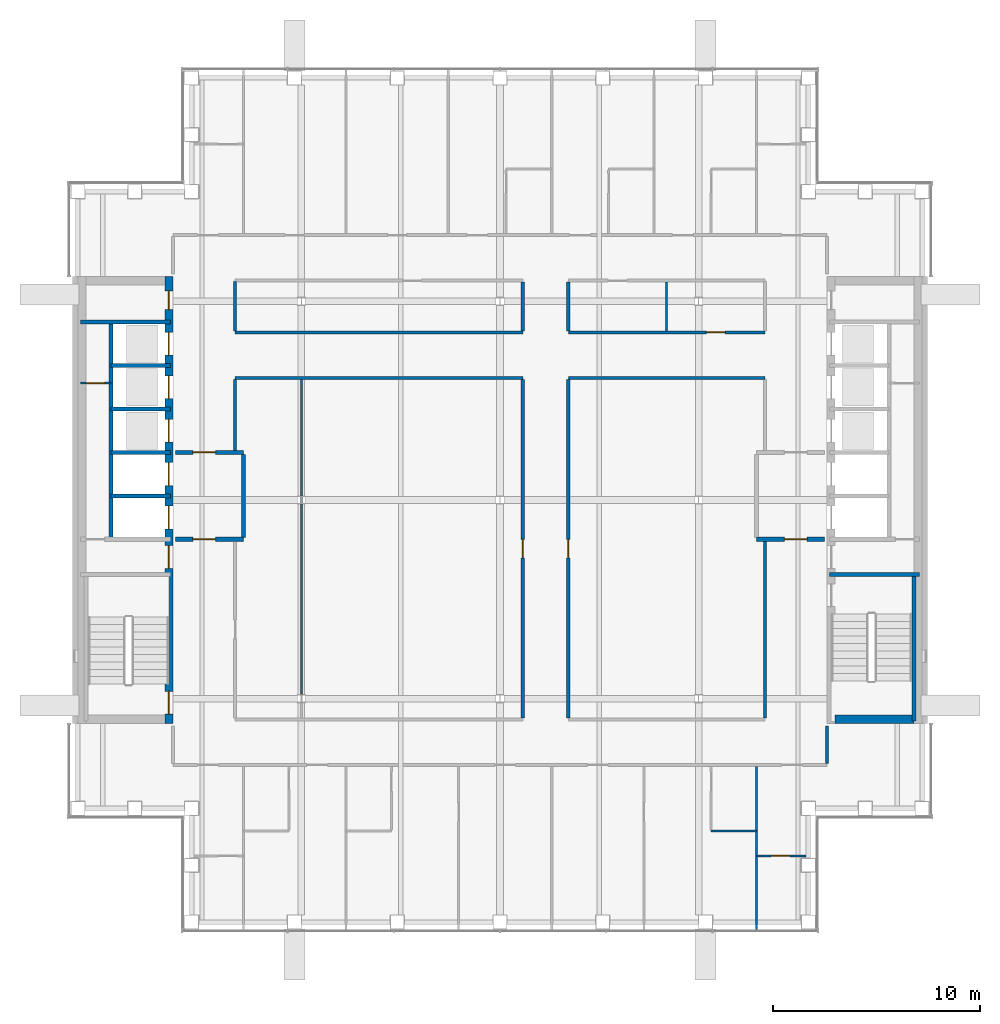
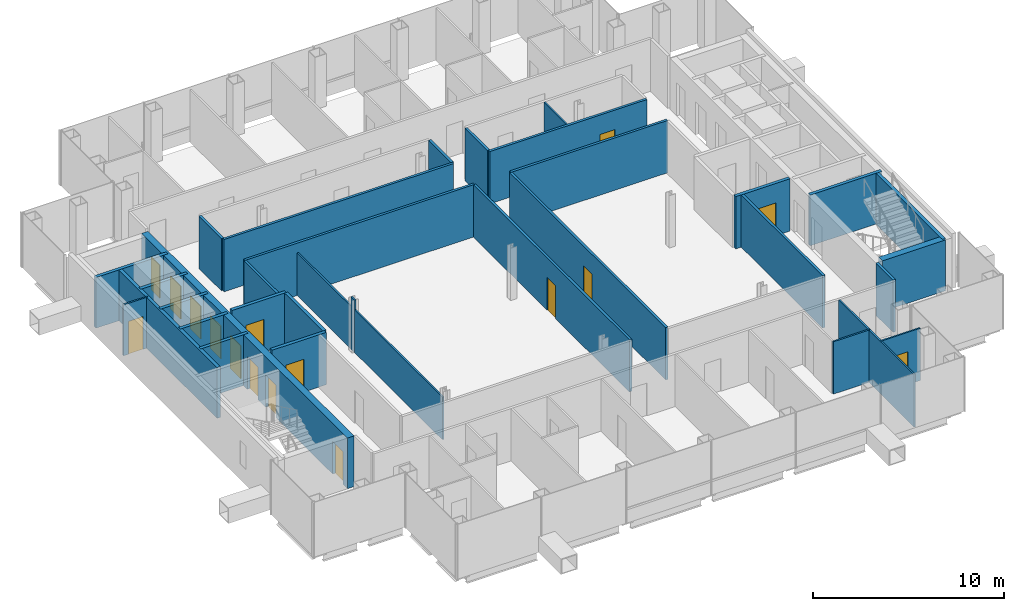
# One storey, part 10 of 14: 34 walls, 16 doors, 16 openings.
"""IFC4 building model written with IfcOpenShell, lengths in metres."""

from ifc_helpers import new_model, si_unit, direction, frame, frame_2d, origin, place, context, subcontext, project, spatial, rectangle, extrude, material, layer, layer_set, type_object, element, fill, save


model = new_model("IFC4")

# Units and contexts
model_context = context("Model", 3, precision=1e-05, world=origin(), true_north=direction((0.0, 1.0)))
body_context = subcontext(model_context, "Body", "Model", "MODEL_VIEW")
ifc_project = project(units=[si_unit("LENGTHUNIT", "METRE"), si_unit("AREAUNIT", "SQUARE_METRE"), si_unit("VOLUMEUNIT", "CUBIC_METRE"), si_unit("PLANEANGLEUNIT", "RADIAN"), si_unit("MASSUNIT", "GRAM", prefix="KILO")], contexts=[model_context])

# Site, building, storey
site_placement = place(None, origin())
site = spatial("IfcSite", under=ifc_project, at=site_placement, CompositionType="ELEMENT")
building_placement = place(site_placement, origin())
building = spatial("IfcBuilding", under=site, at=building_placement, Name="Cobrizo Arcos Hotel Tower", CompositionType="ELEMENT")
storey_placement = place(building_placement, frame((0.0, 0.0, 208.5)))
storey = spatial("IfcBuildingStorey", under=building, at=storey_placement, Name="L54", CompositionType="ELEMENT", Elevation=208.5)

# Walls
ifc_material_1 = material(Name="Gypsum board partition")
ifc_layer_1 = layer(ifc_material_1, 0.14990234375)
ifc_layer_set_1 = layer_set([ifc_layer_1], Name="Corridor wall EI 60 150")
wall_type_1 = type_object("IfcWallType", Name="Corridor wall EI 60 150", PredefinedType="PARTITIONING", material=ifc_layer_set_1)
wall_1_placement = place(storey_placement, frame((-12.800048828125, 5.89990234375, 0.0), z_axis=(0.0, 0.0, 1.0), x_axis=(1.0, 0.0, 0.0)))
element("IfcWall", 1, at=wall_1_placement, inside=storey, type_object=wall_type_1, Name="Partition 025", PredefinedType="PARTITIONING", context=body_context, shape_type="SweptSolid", body=[
    extrude(rectangle(XDim=13.900146484375, YDim=0.14990234375, at=frame_2d((6.9501953125, 0.0))), origin(), (0.0, 0.0, 1.0), 3.35009765625),
])
wall_2_placement = place(storey_placement, frame((3.300048828125, 5.89990234375, 0.0), z_axis=(0.0, 0.0, 1.0), x_axis=(1.0, 0.0, 0.0)))
element("IfcWall", 2, at=wall_2_placement, inside=storey, type_object=wall_type_1, Name="Partition 026", PredefinedType="PARTITIONING", context=body_context, shape_type="SweptSolid", body=[
    extrude(rectangle(XDim=9.5, YDim=0.14990234375, at=frame_2d((4.75, 0.0))), origin(), (0.0, 0.0, 1.0), 3.35009765625),
])
wall_3_placement = place(storey_placement, frame((-12.800048828125, 8.10009765625, 0.0), z_axis=(0.0, 0.0, 1.0), x_axis=(1.0, 0.0, 0.0)))
element("IfcWall", 3, at=wall_3_placement, inside=storey, type_object=wall_type_1, Name="Partition 029", PredefinedType="PARTITIONING", context=body_context, shape_type="SweptSolid", body=[
    extrude(rectangle(XDim=13.900146484375, YDim=0.14990234375, at=frame_2d((6.9501953125, 0.0))), origin(), (0.0, 0.0, 1.0), 3.35009765625),
])

# Wall, opening, door
wall_4_placement = place(storey_placement, frame((3.300048828125, 8.10009765625, 0.0), z_axis=(0.0, 0.0, 1.0), x_axis=(1.0, 0.0, 0.0)))
wall_4 = element("IfcWall", 4, at=wall_4_placement, inside=storey, type_object=wall_type_1, Name="Partition 030", PredefinedType="PARTITIONING", context=body_context, shape_type="SweptSolid", body=[
    extrude(rectangle(XDim=9.5, YDim=0.14990234375, at=frame_2d((4.75, 0.0))), origin(), (0.0, 0.0, 1.0), 3.35009765625),
])
opening_1_placement = place(wall_4_placement, frame((6.675048828125, 0.0, 0.0)))
opening_1 = element("IfcOpeningElement", 5, at=opening_1_placement, cuts=wall_4, Name="Opening ED-13", PredefinedType="OPENING", context=body_context, shape_type="SweptSolid", body=[
    extrude(rectangle(XDim=0.89990234375, YDim=2.10009765625, at=frame_2d((0.449951171875, 1.050048828125))), frame((0.0, 0.0869140625, 0.0), z_axis=(0.0, -1.0, 0.0), x_axis=(1.0, 0.0, 0.0)), (0.0, 0.0, 1.0), 0.173828125),
])
ifc_material_2 = material(Name="Timber door leaf", Category="wood")
door_type_1 = type_object("IfcDoorType", Name="En-suite door 900x2100", OperationType="SINGLE_SWING_LEFT", PredefinedType="DOOR", material=ifc_material_2)
door_1_placement = place(opening_1_placement, origin())
door_1 = element("IfcDoor", 6, at=door_1_placement, inside=storey, type_object=door_type_1, Name="Door ED-13", OperationType="SINGLE_SWING_LEFT", OverallHeight=2.10009765625, OverallWidth=0.89990234375, PredefinedType="DOOR", context=body_context, shape_type="SweptSolid", body=[
    extrude(rectangle(XDim=0.89990234375, YDim=2.10009765625, at=frame_2d((0.449951171875, 1.050048828125))), frame((0.0, 0.02490234375, 0.0), z_axis=(0.0, -1.0, 0.0), x_axis=(1.0, 0.0, 0.0)), (0.0, 0.0, 1.0), 0.050048828125),
])
fill(opening_1, door_1)

# Walls
wall_5_placement = place(storey_placement, frame((-12.800048828125, 2.39990234375, 0.0), z_axis=(0.0, 0.0, 1.0), x_axis=(0.0, 1.0, 0.0)))
element("IfcWall", 7, at=wall_5_placement, inside=storey, type_object=wall_type_1, Name="Partition 046", PredefinedType="PARTITIONING", context=body_context, shape_type="SweptSolid", body=[
    extrude(rectangle(XDim=3.425048828125, YDim=0.14990234375, at=frame_2d((1.71240234375, 0.0))), origin(), (0.0, 0.0, 1.0), 3.35009765625),
])
wall_6_placement = place(storey_placement, frame((-12.800048828125, 8.175048828125, 0.0), z_axis=(0.0, 0.0, 1.0), x_axis=(0.0, 1.0, 0.0)))
element("IfcWall", 8, at=wall_6_placement, inside=storey, type_object=wall_type_1, Name="Partition 047", PredefinedType="PARTITIONING", context=body_context, shape_type="SweptSolid", body=[
    extrude(rectangle(XDim=2.375, YDim=0.14990234375, at=frame_2d((1.1875, 0.0))), origin(), (0.0, 0.0, 1.0), 3.35009765625),
])

# Wall, opening, door
wall_7_placement = place(storey_placement, frame((1.10009765625, -10.52490234375, 0.0), z_axis=(0.0, 0.0, 1.0), x_axis=(0.0, 1.0, 0.0)))
wall_7 = element("IfcWall", 9, at=wall_7_placement, inside=storey, type_object=wall_type_1, Name="Partition 063", PredefinedType="PARTITIONING", context=body_context, shape_type="SweptSolid", body=[
    extrude(rectangle(XDim=16.349853515625, YDim=0.14990234375, at=frame_2d((8.1748046875, 0.0))), origin(), (0.0, 0.0, 1.0), 3.35009765625),
])
opening_2_placement = place(wall_7_placement, frame((7.72509765625, 0.0, 0.0)))
opening_2 = element("IfcOpeningElement", 10, at=opening_2_placement, cuts=wall_7, Name="Opening RD-13", PredefinedType="OPENING", context=body_context, shape_type="SweptSolid", body=[
    extrude(rectangle(XDim=0.89990234375, YDim=2.10009765625, at=frame_2d((0.449951171875, 1.050048828125))), frame((0.0, 0.0869140625, 0.0), z_axis=(0.0, -1.0, 0.0), x_axis=(1.0, 0.0, 0.0)), (0.0, 0.0, 1.0), 0.173828125),
])
door_type_2 = type_object("IfcDoorType", Name="Room door FD30 900x2100", OperationType="SINGLE_SWING_LEFT", PredefinedType="DOOR", material=ifc_material_2)
door_2_placement = place(opening_2_placement, origin())
door_2 = element("IfcDoor", 11, at=door_2_placement, inside=storey, type_object=door_type_2, Name="Door RD-13", OperationType="SINGLE_SWING_RIGHT", OverallHeight=2.10009765625, OverallWidth=0.89990234375, PredefinedType="DOOR", context=body_context, shape_type="SweptSolid", body=[
    extrude(rectangle(XDim=0.89990234375, YDim=2.10009765625, at=frame_2d((0.449951171875, 1.050048828125))), frame((0.0, 0.02490234375, 0.0), z_axis=(0.0, -1.0, 0.0), x_axis=(1.0, 0.0, 0.0)), (0.0, 0.0, 1.0), 0.050048828125),
])
fill(opening_2, door_2)

# Wall
wall_8_placement = place(storey_placement, frame((1.10009765625, 8.175048828125, 0.0), z_axis=(0.0, 0.0, 1.0), x_axis=(0.0, 1.0, 0.0)))
element("IfcWall", 12, at=wall_8_placement, inside=storey, type_object=wall_type_1, Name="Partition 064", PredefinedType="PARTITIONING", context=body_context, shape_type="SweptSolid", body=[
    extrude(rectangle(XDim=2.349853515625, YDim=0.14990234375, at=frame_2d((1.1748046875, 0.0))), origin(), (0.0, 0.0, 1.0), 3.35009765625),
])

# Wall, opening, door
wall_9_placement = place(storey_placement, frame((3.300048828125, -10.52490234375, 0.0), z_axis=(0.0, 0.0, 1.0), x_axis=(0.0, 1.0, 0.0)))
wall_9 = element("IfcWall", 13, at=wall_9_placement, inside=storey, type_object=wall_type_1, Name="Partition 067", PredefinedType="PARTITIONING", context=body_context, shape_type="SweptSolid", body=[
    extrude(rectangle(XDim=16.349853515625, YDim=0.14990234375, at=frame_2d((8.1748046875, 0.0))), origin(), (0.0, 0.0, 1.0), 3.35009765625),
])
opening_3_placement = place(wall_9_placement, frame((7.72509765625, 0.0, 0.0)))
opening_3 = element("IfcOpeningElement", 14, at=opening_3_placement, cuts=wall_9, Name="Opening RD-12", PredefinedType="OPENING", context=body_context, shape_type="SweptSolid", body=[
    extrude(rectangle(XDim=0.89990234375, YDim=2.10009765625, at=frame_2d((0.449951171875, 1.050048828125))), frame((0.0, 0.0869140625, 0.0), z_axis=(0.0, -1.0, 0.0), x_axis=(1.0, 0.0, 0.0)), (0.0, 0.0, 1.0), 0.173828125),
])
door_3_placement = place(opening_3_placement, origin())
door_3 = element("IfcDoor", 15, at=door_3_placement, inside=storey, type_object=door_type_2, Name="Door RD-12", OperationType="SINGLE_SWING_RIGHT", OverallHeight=2.10009765625, OverallWidth=0.89990234375, PredefinedType="DOOR", context=body_context, shape_type="SweptSolid", body=[
    extrude(rectangle(XDim=0.89990234375, YDim=2.10009765625, at=frame_2d((0.449951171875, 1.050048828125))), frame((0.0, 0.02490234375, 0.0), z_axis=(0.0, -1.0, 0.0), x_axis=(1.0, 0.0, 0.0)), (0.0, 0.0, 1.0), 0.050048828125),
])
fill(opening_3, door_3)

# Walls
wall_10_placement = place(storey_placement, frame((3.300048828125, 8.175048828125, 0.0), z_axis=(0.0, 0.0, 1.0), x_axis=(0.0, 1.0, 0.0)))
element("IfcWall", 16, at=wall_10_placement, inside=storey, type_object=wall_type_1, Name="Partition 068", PredefinedType="PARTITIONING", context=body_context, shape_type="SweptSolid", body=[
    extrude(rectangle(XDim=2.349853515625, YDim=0.14990234375, at=frame_2d((1.1748046875, 0.0))), origin(), (0.0, 0.0, 1.0), 3.35009765625),
])
wall_11_placement = place(storey_placement, frame((12.800048828125, -10.52490234375, 0.0), z_axis=(0.0, 0.0, 1.0), x_axis=(0.0, 1.0, 0.0)))
element("IfcWall", 17, at=wall_11_placement, inside=storey, type_object=wall_type_1, Name="Partition 078", PredefinedType="PARTITIONING", context=body_context, shape_type="SweptSolid", body=[
    extrude(rectangle(XDim=8.52490234375, YDim=0.14990234375, at=frame_2d((4.262451171875, 0.0))), origin(), (0.0, 0.0, 1.0), 3.35009765625),
])
wall_12_placement = place(storey_placement, frame((15.800048828125, -12.72509765625, 0.0), z_axis=(0.0, 0.0, 1.0), x_axis=(0.0, 1.0, 0.0)))
element("IfcWall", 18, at=wall_12_placement, inside=storey, type_object=wall_type_1, Name="Partition 081", PredefinedType="PARTITIONING", context=body_context, shape_type="SweptSolid", body=[
    extrude(rectangle(XDim=1.80517578125, YDim=0.14990234375, at=frame_2d((0.902587890625, 0.0))), origin(), (0.0, 0.0, 1.0), 3.35009765625),
])

# Wall, opening, door
ifc_layer_2 = layer(ifc_material_1, 0.10009765625)
ifc_layer_set_2 = layer_set([ifc_layer_2], Name="Partition EI 30 100")
wall_type_2 = type_object("IfcWallType", Name="Partition EI 30 100", PredefinedType="PARTITIONING", material=ifc_layer_set_2)
wall_13_placement = place(storey_placement, frame((12.39990234375, -17.199951171875, 0.0), z_axis=(0.0, 0.0, 1.0), x_axis=(1.0, 0.0, 0.0)))
wall_13 = element("IfcWall", 19, at=wall_13_placement, inside=storey, type_object=wall_type_2, Name="Partition 002", PredefinedType="PARTITIONING", context=body_context, shape_type="SweptSolid", body=[
    extrude(rectangle(XDim=2.380126953125, YDim=0.10009765625, at=frame_2d((1.18994140625, 0.0))), origin(), (0.0, 0.0, 1.0), 3.35009765625),
])
opening_4_placement = place(wall_13_placement, frame((0.705078125, 0.0, 0.0)))
opening_4 = element("IfcOpeningElement", 20, at=opening_4_placement, cuts=wall_13, Name="Opening ED-10", PredefinedType="OPENING", context=body_context, shape_type="SweptSolid", body=[
    extrude(rectangle(XDim=0.89990234375, YDim=2.10009765625, at=frame_2d((0.449951171875, 1.050048828125))), frame((0.0, 0.06201171875, 0.0), z_axis=(0.0, -1.0, 0.0), x_axis=(1.0, 0.0, 0.0)), (0.0, 0.0, 1.0), 0.1240234375),
])
door_4_placement = place(opening_4_placement, origin())
door_4 = element("IfcDoor", 21, at=door_4_placement, inside=storey, type_object=door_type_1, Name="Door ED-10", OperationType="SINGLE_SWING_LEFT", OverallHeight=2.10009765625, OverallWidth=0.89990234375, PredefinedType="DOOR", context=body_context, shape_type="SweptSolid", body=[
    extrude(rectangle(XDim=0.89990234375, YDim=2.10009765625, at=frame_2d((0.449951171875, 1.050048828125))), frame((0.0, 0.02490234375, 0.0), z_axis=(0.0, -1.0, 0.0), x_axis=(1.0, 0.0, 0.0)), (0.0, 0.0, 1.0), 0.050048828125),
])
fill(opening_4, door_4)

# Wall
wall_14_placement = place(storey_placement, frame((10.199951171875, -16.0, 0.0), z_axis=(0.0, 0.0, 1.0), x_axis=(1.0, 0.0, 0.0)))
element("IfcWall", 22, at=wall_14_placement, inside=storey, type_object=wall_type_2, Name="Partition 005", PredefinedType="PARTITIONING", context=body_context, shape_type="SweptSolid", body=[
    extrude(rectangle(XDim=2.199951171875, YDim=0.10009765625, at=frame_2d((1.10009765625, 0.0))), origin(), (0.0, 0.0, 1.0), 3.35009765625),
])

# Wall, opening, door
wall_15_placement = place(storey_placement, frame((-20.280029296875, 5.64990234375, 0.0), z_axis=(0.0, 0.0, 1.0), x_axis=(1.0, 0.0, 0.0)))
wall_15 = element("IfcWall", 23, at=wall_15_placement, inside=storey, type_object=wall_type_2, Name="Partition 023", PredefinedType="PARTITIONING", context=body_context, shape_type="SweptSolid", body=[
    extrude(rectangle(XDim=1.47998046875, YDim=0.10009765625, at=frame_2d((0.739990234375, 0.0))), origin(), (0.0, 0.0, 1.0), 3.25),
])
opening_5_placement = place(wall_15_placement, frame((0.280029296875, 0.0, 0.0)))
opening_5 = element("IfcOpeningElement", 24, at=opening_5_placement, cuts=wall_15, Name="Opening RD-03", PredefinedType="OPENING", context=body_context, shape_type="SweptSolid", body=[
    extrude(rectangle(XDim=0.89990234375, YDim=2.10009765625, at=frame_2d((0.449951171875, 1.050048828125))), frame((0.0, 0.06201171875, 0.0), z_axis=(0.0, -1.0, 0.0), x_axis=(1.0, 0.0, 0.0)), (0.0, 0.0, 1.0), 0.1240234375),
])
door_5_placement = place(opening_5_placement, origin())
door_5 = element("IfcDoor", 25, at=door_5_placement, inside=storey, type_object=door_type_2, Name="Door RD-03", OperationType="SINGLE_SWING_LEFT", OverallHeight=2.10009765625, OverallWidth=0.89990234375, PredefinedType="DOOR", context=body_context, shape_type="SweptSolid", body=[
    extrude(rectangle(XDim=0.89990234375, YDim=2.10009765625, at=frame_2d((0.449951171875, 1.050048828125))), frame((0.0, 0.02490234375, 0.0), z_axis=(0.0, -1.0, 0.0), x_axis=(1.0, 0.0, 0.0)), (0.0, 0.0, 1.0), 0.050048828125),
])
fill(opening_5, door_5)

# Walls
wall_16_placement = place(storey_placement, frame((-9.60009765625, -9.4130859375, 0.0), z_axis=(0.0, 0.0, 1.0), x_axis=(0.0, 1.0, 0.0)))
element("IfcWall", 26, at=wall_16_placement, inside=storey, type_object=wall_type_2, Name="Partition 054", PredefinedType="PARTITIONING", context=body_context, shape_type="SweptSolid", body=[
    extrude(rectangle(XDim=9.22607421875, YDim=0.10009765625, at=frame_2d((4.613037109375, 0.0))), origin(), (0.0, 0.0, 1.0), 2.72802734375),
])
wall_17_placement = place(storey_placement, frame((-9.60009765625, -0.18701171875, 0.0), z_axis=(0.0, 0.0, 1.0), x_axis=(0.0, 1.0, 0.0)))
element("IfcWall", 27, at=wall_17_placement, inside=storey, type_object=wall_type_2, Name="Partition 055", PredefinedType="PARTITIONING", context=body_context, shape_type="SweptSolid", body=[
    extrude(rectangle(XDim=0.3740234375, YDim=0.10009765625, at=frame_2d((0.18701171875, 0.0))), origin(), (0.0, 0.0, 1.0), 3.35009765625),
])
wall_18_placement = place(storey_placement, frame((-9.60009765625, 0.18701171875, 0.0), z_axis=(0.0, 0.0, 1.0), x_axis=(0.0, 1.0, 0.0)))
element("IfcWall", 28, at=wall_18_placement, inside=storey, type_object=wall_type_2, Name="Partition 056", PredefinedType="PARTITIONING", context=body_context, shape_type="SweptSolid", body=[
    extrude(rectangle(XDim=5.637939453125, YDim=0.10009765625, at=frame_2d((2.81884765625, 0.0))), origin(), (0.0, 0.0, 1.0), 2.72802734375),
])
wall_19_placement = place(storey_placement, frame((8.050048828125, 8.175048828125, 0.0), z_axis=(0.0, 0.0, 1.0), x_axis=(0.0, 1.0, 0.0)))
element("IfcWall", 29, at=wall_19_placement, inside=storey, type_object=wall_type_2, Name="Partition 072", PredefinedType="PARTITIONING", context=body_context, shape_type="SweptSolid", body=[
    extrude(rectangle(XDim=2.349853515625, YDim=0.10009765625, at=frame_2d((1.1748046875, 0.0))), origin(), (0.0, 0.0, 1.0), 3.35009765625),
])
wall_20_placement = place(storey_placement, frame((12.39990234375, -20.780029296875, 0.0), z_axis=(0.0, 0.0, 1.0), x_axis=(0.0, 1.0, 0.0)))
element("IfcWall", 30, at=wall_20_placement, inside=storey, type_object=wall_type_2, Name="Partition 075", PredefinedType="PARTITIONING", context=body_context, shape_type="SweptSolid", body=[
    extrude(rectangle(XDim=7.905029296875, YDim=0.10009765625, at=frame_2d((3.95263671875, 0.0))), origin(), (0.0, 0.0, 1.0), 3.35009765625),
])
ifc_material_3 = material(Name="Concrete f'c 40 MPa", Category="concrete")
ifc_layer_3 = layer(ifc_material_3, 0.39990234375)
ifc_layer_set_3 = layer_set([ifc_layer_3], Name="RC core wall 400 f'c 40")
wall_type_3 = type_object("IfcWallType", Name="RC core wall 400 f'c 40", PredefinedType="SHEAR", material=ifc_layer_set_3)
wall_21_placement = place(storey_placement, frame((16.199951171875, -10.60009765625, 0.0), z_axis=(0.0, 0.0, 1.0), x_axis=(1.0, 0.0, 0.0)))
element("IfcWall", 31, at=wall_21_placement, inside=storey, type_object=wall_type_3, Name="Core wall CW4, east core, south end, L54", PredefinedType="SHEAR", context=body_context, shape_type="SweptSolid", body=[
    extrude(rectangle(XDim=3.800048828125, YDim=0.39990234375, at=frame_2d((1.89990234375, 0.0))), origin(), (0.0, 0.0, 1.0), 3.25),
])

# Wall, openings, doors
wall_22_placement = place(storey_placement, frame((-16.0, -10.800048828125, 0.0), z_axis=(0.0, 0.0, 1.0), x_axis=(0.0, 1.0, 0.0)))
wall_22 = element("IfcWall", 32, at=wall_22_placement, inside=storey, type_object=wall_type_3, Name="Core wall CW4, west core, inner face, L54", PredefinedType="SHEAR", context=body_context, shape_type="SweptSolid", body=[
    extrude(rectangle(XDim=21.60009765625, YDim=0.39990234375, at=frame_2d((10.800048828125, 0.0))), origin(), (0.0, 0.0, 1.0), 3.25),
])
opening_6_placement = place(wall_22_placement, frame((9.39990234375, 0.0, 0.0)))
opening_6 = element("IfcOpeningElement", 33, at=opening_6_placement, cuts=wall_22, Name="Opening LD-01", PredefinedType="OPENING", context=body_context, shape_type="SweptSolid", body=[
    extrude(rectangle(XDim=1.10009765625, YDim=2.10009765625, at=frame_2d((0.550048828125, 1.050048828125))), frame((0.0, 0.2119140625, 0.0), z_axis=(0.0, -1.0, 0.0), x_axis=(1.0, 0.0, 0.0)), (0.0, 0.0, 1.0), 0.423828125),
])
opening_7_placement = place(wall_22_placement, frame((11.5, 0.0, 0.0)))
opening_7 = element("IfcOpeningElement", 34, at=opening_7_placement, cuts=wall_22, Name="Opening LD-02", PredefinedType="OPENING", context=body_context, shape_type="SweptSolid", body=[
    extrude(rectangle(XDim=1.10009765625, YDim=2.10009765625, at=frame_2d((0.550048828125, 1.050048828125))), frame((0.0, 0.2119140625, 0.0), z_axis=(0.0, -1.0, 0.0), x_axis=(1.0, 0.0, 0.0)), (0.0, 0.0, 1.0), 0.423828125),
])
opening_8_placement = place(wall_22_placement, frame((13.60009765625, 0.0, 0.0)))
opening_8 = element("IfcOpeningElement", 35, at=opening_8_placement, cuts=wall_22, Name="Opening LD-03", PredefinedType="OPENING", context=body_context, shape_type="SweptSolid", body=[
    extrude(rectangle(XDim=1.10009765625, YDim=2.10009765625, at=frame_2d((0.550048828125, 1.050048828125))), frame((0.0, 0.2119140625, 0.0), z_axis=(0.0, -1.0, 0.0), x_axis=(1.0, 0.0, 0.0)), (0.0, 0.0, 1.0), 0.423828125),
])
opening_9_placement = place(wall_22_placement, frame((15.699951171875, 0.0, 0.0)))
opening_9 = element("IfcOpeningElement", 36, at=opening_9_placement, cuts=wall_22, Name="Opening LD-04", PredefinedType="OPENING", context=body_context, shape_type="SweptSolid", body=[
    extrude(rectangle(XDim=1.10009765625, YDim=2.10009765625, at=frame_2d((0.550048828125, 1.050048828125))), frame((0.0, 0.2119140625, 0.0), z_axis=(0.0, -1.0, 0.0), x_axis=(1.0, 0.0, 0.0)), (0.0, 0.0, 1.0), 0.423828125),
])
opening_10_placement = place(wall_22_placement, frame((17.800048828125, 0.0, 0.0)))
opening_10 = element("IfcOpeningElement", 37, at=opening_10_placement, cuts=wall_22, Name="Opening LD-05", PredefinedType="OPENING", context=body_context, shape_type="SweptSolid", body=[
    extrude(rectangle(XDim=1.10009765625, YDim=2.10009765625, at=frame_2d((0.550048828125, 1.050048828125))), frame((0.0, 0.2119140625, 0.0), z_axis=(0.0, -1.0, 0.0), x_axis=(1.0, 0.0, 0.0)), (0.0, 0.0, 1.0), 0.423828125),
])
opening_11_placement = place(wall_22_placement, frame((0.4580078125, 0.0, 0.0)))
opening_11 = element("IfcOpeningElement", 38, at=opening_11_placement, cuts=wall_22, Name="Opening SD-01", PredefinedType="OPENING", context=body_context, shape_type="SweptSolid", body=[
    extrude(rectangle(XDim=1.10009765625, YDim=2.10009765625, at=frame_2d((0.550048828125, 1.050048828125))), frame((0.0, 0.2119140625, 0.0), z_axis=(0.0, -1.0, 0.0), x_axis=(1.0, 0.0, 0.0)), (0.0, 0.0, 1.0), 0.423828125),
])
opening_12_placement = place(wall_22_placement, frame((7.5, 0.0, 0.0)))
opening_12 = element("IfcOpeningElement", 39, at=opening_12_placement, cuts=wall_22, Name="Opening FD-01", PredefinedType="OPENING", context=body_context, shape_type="SweptSolid", body=[
    extrude(rectangle(XDim=1.10009765625, YDim=2.10009765625, at=frame_2d((0.550048828125, 1.050048828125))), frame((0.0, 0.2119140625, 0.0), z_axis=(0.0, -1.0, 0.0), x_axis=(1.0, 0.0, 0.0)), (0.0, 0.0, 1.0), 0.423828125),
])
opening_13_placement = place(wall_22_placement, frame((20.0, 0.0, 0.0)))
opening_13 = element("IfcOpeningElement", 40, at=opening_13_placement, cuts=wall_22, Name="Opening RD-01", PredefinedType="OPENING", context=body_context, shape_type="SweptSolid", body=[
    extrude(rectangle(XDim=0.89990234375, YDim=2.10009765625, at=frame_2d((0.449951171875, 1.050048828125))), frame((0.0, 0.2119140625, 0.0), z_axis=(0.0, -1.0, 0.0), x_axis=(1.0, 0.0, 0.0)), (0.0, 0.0, 1.0), 0.423828125),
])
ifc_material_4 = material(Name="Steel door leaf", Category="steel")
door_type_3 = type_object("IfcDoorType", Name="Fire door FD60 1100x2100", OperationType="SINGLE_SWING_LEFT", PredefinedType="DOOR", material=ifc_material_4)
door_6_placement = place(opening_12_placement, origin())
door_6 = element("IfcDoor", 41, at=door_6_placement, inside=storey, type_object=door_type_3, Name="Door FD-01", OperationType="SINGLE_SWING_RIGHT", OverallHeight=2.10009765625, OverallWidth=1.10009765625, PredefinedType="DOOR", context=body_context, shape_type="SweptSolid", body=[
    extrude(rectangle(XDim=1.10009765625, YDim=2.10009765625, at=frame_2d((0.550048828125, 1.050048828125))), frame((0.0, 0.02490234375, 0.0), z_axis=(0.0, -1.0, 0.0), x_axis=(1.0, 0.0, 0.0)), (0.0, 0.0, 1.0), 0.050048828125),
])
fill(opening_12, door_6)
door_type_4 = type_object("IfcDoorType", Name="Lift landing door 1100x2100", OperationType="SLIDING_TO_LEFT", PredefinedType="DOOR", material=ifc_material_4)
door_7_placement = place(opening_6_placement, origin())
door_7 = element("IfcDoor", 42, at=door_7_placement, inside=storey, type_object=door_type_4, Name="Lift landing door LD-01", OperationType="SLIDING_TO_LEFT", OverallHeight=2.10009765625, OverallWidth=1.10009765625, PredefinedType="DOOR", context=body_context, shape_type="SweptSolid", body=[
    extrude(rectangle(XDim=1.10009765625, YDim=2.10009765625, at=frame_2d((0.550048828125, 1.050048828125))), frame((0.0, 0.02490234375, 0.0), z_axis=(0.0, -1.0, 0.0), x_axis=(1.0, 0.0, 0.0)), (0.0, 0.0, 1.0), 0.050048828125),
])
fill(opening_6, door_7)
door_8_placement = place(opening_7_placement, origin())
door_8 = element("IfcDoor", 43, at=door_8_placement, inside=storey, type_object=door_type_4, Name="Lift landing door LD-02", OperationType="SLIDING_TO_LEFT", OverallHeight=2.10009765625, OverallWidth=1.10009765625, PredefinedType="DOOR", context=body_context, shape_type="SweptSolid", body=[
    extrude(rectangle(XDim=1.10009765625, YDim=2.10009765625, at=frame_2d((0.550048828125, 1.050048828125))), frame((0.0, 0.02490234375, 0.0), z_axis=(0.0, -1.0, 0.0), x_axis=(1.0, 0.0, 0.0)), (0.0, 0.0, 1.0), 0.050048828125),
])
fill(opening_7, door_8)
door_9_placement = place(opening_8_placement, origin())
door_9 = element("IfcDoor", 44, at=door_9_placement, inside=storey, type_object=door_type_4, Name="Lift landing door LD-03", OperationType="SLIDING_TO_LEFT", OverallHeight=2.10009765625, OverallWidth=1.10009765625, PredefinedType="DOOR", context=body_context, shape_type="SweptSolid", body=[
    extrude(rectangle(XDim=1.10009765625, YDim=2.10009765625, at=frame_2d((0.550048828125, 1.050048828125))), frame((0.0, 0.02490234375, 0.0), z_axis=(0.0, -1.0, 0.0), x_axis=(1.0, 0.0, 0.0)), (0.0, 0.0, 1.0), 0.050048828125),
])
fill(opening_8, door_9)
door_10_placement = place(opening_9_placement, origin())
door_10 = element("IfcDoor", 45, at=door_10_placement, inside=storey, type_object=door_type_4, Name="Lift landing door LD-04", OperationType="SLIDING_TO_LEFT", OverallHeight=2.10009765625, OverallWidth=1.10009765625, PredefinedType="DOOR", context=body_context, shape_type="SweptSolid", body=[
    extrude(rectangle(XDim=1.10009765625, YDim=2.10009765625, at=frame_2d((0.550048828125, 1.050048828125))), frame((0.0, 0.02490234375, 0.0), z_axis=(0.0, -1.0, 0.0), x_axis=(1.0, 0.0, 0.0)), (0.0, 0.0, 1.0), 0.050048828125),
])
fill(opening_9, door_10)
door_11_placement = place(opening_10_placement, origin())
door_11 = element("IfcDoor", 46, at=door_11_placement, inside=storey, type_object=door_type_4, Name="Lift landing door LD-05", OperationType="SLIDING_TO_LEFT", OverallHeight=2.10009765625, OverallWidth=1.10009765625, PredefinedType="DOOR", context=body_context, shape_type="SweptSolid", body=[
    extrude(rectangle(XDim=1.10009765625, YDim=2.10009765625, at=frame_2d((0.550048828125, 1.050048828125))), frame((0.0, 0.02490234375, 0.0), z_axis=(0.0, -1.0, 0.0), x_axis=(1.0, 0.0, 0.0)), (0.0, 0.0, 1.0), 0.050048828125),
])
fill(opening_10, door_11)
door_12_placement = place(opening_13_placement, origin())
door_12 = element("IfcDoor", 47, at=door_12_placement, inside=storey, type_object=door_type_2, Name="Door RD-01", OperationType="SINGLE_SWING_LEFT", OverallHeight=2.10009765625, OverallWidth=0.89990234375, PredefinedType="DOOR", context=body_context, shape_type="SweptSolid", body=[
    extrude(rectangle(XDim=0.89990234375, YDim=2.10009765625, at=frame_2d((0.449951171875, 1.050048828125))), frame((0.0, 0.02490234375, 0.0), z_axis=(0.0, -1.0, 0.0), x_axis=(1.0, 0.0, 0.0)), (0.0, 0.0, 1.0), 0.050048828125),
])
fill(opening_13, door_12)
door_type_5 = type_object("IfcDoorType", Name="Stair door FD60S 1100x2100", OperationType="SINGLE_SWING_LEFT", PredefinedType="DOOR", material=ifc_material_4)
door_13_placement = place(opening_11_placement, origin())
door_13 = element("IfcDoor", 48, at=door_13_placement, inside=storey, type_object=door_type_5, Name="Door SD-01", OperationType="SINGLE_SWING_RIGHT", OverallHeight=2.10009765625, OverallWidth=1.10009765625, PredefinedType="DOOR", context=body_context, shape_type="SweptSolid", body=[
    extrude(rectangle(XDim=1.10009765625, YDim=2.10009765625, at=frame_2d((0.550048828125, 1.050048828125))), frame((0.0, 0.02490234375, 0.0), z_axis=(0.0, -1.0, 0.0), x_axis=(1.0, 0.0, 0.0)), (0.0, 0.0, 1.0), 0.050048828125),
])
fill(opening_11, door_13)

# Wall, opening, door
ifc_layer_4 = layer(ifc_material_1, 0.199951171875)
ifc_layer_set_4 = layer_set([ifc_layer_4], Name="Shaft wall EI 120 200")
wall_type_4 = type_object("IfcWallType", Name="Shaft wall EI 120 200", PredefinedType="PARTITIONING", material=ifc_layer_set_4)
wall_23_placement = place(storey_placement, frame((-15.679931640625, -1.89990234375, 0.0), z_axis=(0.0, 0.0, 1.0), x_axis=(1.0, 0.0, 0.0)))
wall_23 = element("IfcWall", 49, at=wall_23_placement, inside=storey, type_object=wall_type_4, Name="Partition 012", PredefinedType="PARTITIONING", context=body_context, shape_type="SweptSolid", body=[
    extrude(rectangle(XDim=3.280029296875, YDim=0.199951171875, at=frame_2d((1.64013671875, 0.0))), origin(), (0.0, 0.0, 1.0), 3.35009765625),
])
opening_14_placement = place(wall_23_placement, frame((0.840087890625, 0.0, 0.0)))
opening_14 = element("IfcOpeningElement", 50, at=opening_14_placement, cuts=wall_23, Name="Opening FD-03", PredefinedType="OPENING", context=body_context, shape_type="SweptSolid", body=[
    extrude(rectangle(XDim=1.10009765625, YDim=2.10009765625, at=frame_2d((0.550048828125, 1.050048828125))), frame((0.0, 0.112060546875, 0.0), z_axis=(0.0, -1.0, 0.0), x_axis=(1.0, 0.0, 0.0)), (0.0, 0.0, 1.0), 0.223876953125),
])
door_14_placement = place(opening_14_placement, origin())
door_14 = element("IfcDoor", 51, at=door_14_placement, inside=storey, type_object=door_type_3, Name="Door FD-03", OperationType="SINGLE_SWING_RIGHT", OverallHeight=2.10009765625, OverallWidth=1.10009765625, PredefinedType="DOOR", context=body_context, shape_type="SweptSolid", body=[
    extrude(rectangle(XDim=1.10009765625, YDim=2.10009765625, at=frame_2d((0.550048828125, 1.050048828125))), frame((0.0, 0.02490234375, 0.0), z_axis=(0.0, -1.0, 0.0), x_axis=(1.0, 0.0, 0.0)), (0.0, 0.0, 1.0), 0.050048828125),
])
fill(opening_14, door_14)

wall_24_placement = place(storey_placement, frame((12.39990234375, -1.89990234375, 0.0), z_axis=(0.0, 0.0, 1.0), x_axis=(1.0, 0.0, 0.0)))
wall_24 = element("IfcWall", 52, at=wall_24_placement, inside=storey, type_object=wall_type_4, Name="Partition 013", PredefinedType="PARTITIONING", context=body_context, shape_type="SweptSolid", body=[
    extrude(rectangle(XDim=3.280029296875, YDim=0.199951171875, at=frame_2d((1.64013671875, 0.0))), origin(), (0.0, 0.0, 1.0), 3.35009765625),
])
opening_15_placement = place(wall_24_placement, frame((1.340087890625, 0.0, 0.0)))
opening_15 = element("IfcOpeningElement", 53, at=opening_15_placement, cuts=wall_24, Name="Opening FD-06", PredefinedType="OPENING", context=body_context, shape_type="SweptSolid", body=[
    extrude(rectangle(XDim=1.10009765625, YDim=2.10009765625, at=frame_2d((0.550048828125, 1.050048828125))), frame((0.0, 0.112060546875, 0.0), z_axis=(0.0, -1.0, 0.0), x_axis=(1.0, 0.0, 0.0)), (0.0, 0.0, 1.0), 0.223876953125),
])
door_15_placement = place(opening_15_placement, origin())
door_15 = element("IfcDoor", 54, at=door_15_placement, inside=storey, type_object=door_type_3, Name="Door FD-06", OperationType="SINGLE_SWING_RIGHT", OverallHeight=2.10009765625, OverallWidth=1.10009765625, PredefinedType="DOOR", context=body_context, shape_type="SweptSolid", body=[
    extrude(rectangle(XDim=1.10009765625, YDim=2.10009765625, at=frame_2d((0.550048828125, 1.050048828125))), frame((0.0, 0.02490234375, 0.0), z_axis=(0.0, -1.0, 0.0), x_axis=(1.0, 0.0, 0.0)), (0.0, 0.0, 1.0), 0.050048828125),
])
fill(opening_15, door_15)

# Walls
for number, where, z_axis, x_axis, name in (
    (55, (-18.800048828125, 0.199951171875, 0.0), (0.0, 0.0, 1.0), (1.0, 0.0, 0.0), "Partition 015"),
    (56, (-18.800048828125, 2.300048828125, 0.0), (0.0, 0.0, 1.0), (1.0, 0.0, 0.0), "Partition 017"),
):
    element("IfcWall", number, at=place(storey_placement, frame(where, z_axis=z_axis, x_axis=x_axis)), inside=storey, type_object=wall_type_4, Name=name, PredefinedType="PARTITIONING", context=body_context, shape_type="SweptSolid", body=[
        extrude(rectangle(XDim=2.880126953125, YDim=0.199951171875, at=frame_2d((1.43994140625, 0.0))), origin(), (0.0, 0.0, 1.0), 3.25),
    ])

# Wall, opening, door
wall_25_placement = place(storey_placement, frame((-15.679931640625, 2.300048828125, 0.0), z_axis=(0.0, 0.0, 1.0), x_axis=(1.0, 0.0, 0.0)))
wall_25 = element("IfcWall", 57, at=wall_25_placement, inside=storey, type_object=wall_type_4, Name="Partition 018", PredefinedType="PARTITIONING", context=body_context, shape_type="SweptSolid", body=[
    extrude(rectangle(XDim=3.280029296875, YDim=0.199951171875, at=frame_2d((1.64013671875, 0.0))), origin(), (0.0, 0.0, 1.0), 3.35009765625),
])
opening_16_placement = place(wall_25_placement, frame((0.840087890625, 0.0, 0.0)))
opening_16 = element("IfcOpeningElement", 58, at=opening_16_placement, cuts=wall_25, Name="Opening FD-02", PredefinedType="OPENING", context=body_context, shape_type="SweptSolid", body=[
    extrude(rectangle(XDim=1.10009765625, YDim=2.10009765625, at=frame_2d((0.550048828125, 1.050048828125))), frame((0.0, 0.112060546875, 0.0), z_axis=(0.0, -1.0, 0.0), x_axis=(1.0, 0.0, 0.0)), (0.0, 0.0, 1.0), 0.223876953125),
])
door_16_placement = place(opening_16_placement, origin())
door_16 = element("IfcDoor", 59, at=door_16_placement, inside=storey, type_object=door_type_3, Name="Door FD-02", OperationType="SINGLE_SWING_LEFT", OverallHeight=2.10009765625, OverallWidth=1.10009765625, PredefinedType="DOOR", context=body_context, shape_type="SweptSolid", body=[
    extrude(rectangle(XDim=1.10009765625, YDim=2.10009765625, at=frame_2d((0.550048828125, 1.050048828125))), frame((0.0, 0.02490234375, 0.0), z_axis=(0.0, -1.0, 0.0), x_axis=(1.0, 0.0, 0.0)), (0.0, 0.0, 1.0), 0.050048828125),
])
fill(opening_16, door_16)

# Walls
for number, where, z_axis, x_axis, name in (
    (60, (-18.800048828125, 4.39990234375, 0.0), (0.0, 0.0, 1.0), (1.0, 0.0, 0.0), "Partition 021"),
    (61, (-18.800048828125, 6.5, 0.0), (0.0, 0.0, 1.0), (1.0, 0.0, 0.0), "Partition 027"),
):
    element("IfcWall", number, at=place(storey_placement, frame(where, z_axis=z_axis, x_axis=x_axis)), inside=storey, type_object=wall_type_4, Name=name, PredefinedType="PARTITIONING", context=body_context, shape_type="SweptSolid", body=[
        extrude(rectangle(XDim=2.880126953125, YDim=0.199951171875, at=frame_2d((1.43994140625, 0.0))), origin(), (0.0, 0.0, 1.0), 3.25),
    ])
wall_26_placement = place(storey_placement, frame((-20.280029296875, 8.60009765625, 0.0), z_axis=(0.0, 0.0, 1.0), x_axis=(1.0, 0.0, 0.0)))
element("IfcWall", 62, at=wall_26_placement, inside=storey, type_object=wall_type_4, Name="Partition 031", PredefinedType="PARTITIONING", context=body_context, shape_type="SweptSolid", body=[
    extrude(rectangle(XDim=4.360107421875, YDim=0.199951171875, at=frame_2d((2.18017578125, 0.0))), origin(), (0.0, 0.0, 1.0), 3.25),
])
wall_27_placement = place(storey_placement, frame((-18.800048828125, -1.800048828125, 0.0), z_axis=(0.0, 0.0, 1.0), x_axis=(0.0, 1.0, 0.0)))
element("IfcWall", 63, at=wall_27_placement, inside=storey, type_object=wall_type_4, Name="Partition 042", PredefinedType="PARTITIONING", context=body_context, shape_type="SweptSolid", body=[
    extrude(rectangle(XDim=10.300048828125, YDim=0.199951171875, at=frame_2d((5.14990234375, 0.0))), origin(), (0.0, 0.0, 1.0), 3.25),
])
wall_28_placement = place(storey_placement, frame((-12.39990234375, -1.800048828125, 0.0), z_axis=(0.0, 0.0, 1.0), x_axis=(0.0, 1.0, 0.0)))
element("IfcWall", 64, at=wall_28_placement, inside=storey, type_object=wall_type_4, Name="Partition 049", PredefinedType="PARTITIONING", context=body_context, shape_type="SweptSolid", body=[
    extrude(rectangle(XDim=4.0, YDim=0.199951171875, at=frame_2d((2.0, 0.0))), origin(), (0.0, 0.0, 1.0), 3.35009765625),
])
ifc_layer_5 = layer(ifc_material_3, 0.199951171875)
ifc_layer_set_5 = layer_set([ifc_layer_5], Name="Stair shaft wall 200")
wall_type_5 = type_object("IfcWallType", Name="Stair shaft wall 200", PredefinedType="SHEAR", material=ifc_layer_set_5)
wall_29_placement = place(storey_placement, frame((15.919921875, -3.60009765625, 0.0), z_axis=(0.0, 0.0, 1.0), x_axis=(1.0, 0.0, 0.0)))
element("IfcWall", 65, at=wall_29_placement, inside=storey, type_object=wall_type_5, Name="Stair shaft wall E", PredefinedType="SHEAR", context=body_context, shape_type="SweptSolid", body=[
    extrude(rectangle(XDim=4.360107421875, YDim=0.199951171875, at=frame_2d((2.18017578125, 0.0))), origin(), (0.0, 0.0, 1.0), 3.25),
])
wall_30_placement = place(storey_placement, frame((20.0, -10.679931640625, 0.0), z_axis=(0.0, 0.0, 1.0), x_axis=(0.0, 1.0, 0.0)))
element("IfcWall", 66, at=wall_30_placement, inside=storey, type_object=wall_type_5, Name="Stair shaft wall E", PredefinedType="SHEAR", context=body_context, shape_type="SweptSolid", body=[
    extrude(rectangle(XDim=6.97998046875, YDim=0.199951171875, at=frame_2d((3.489990234375, 0.0))), origin(), (0.0, 0.0, 1.0), 3.25),
])

save(model, "model.ifc")
